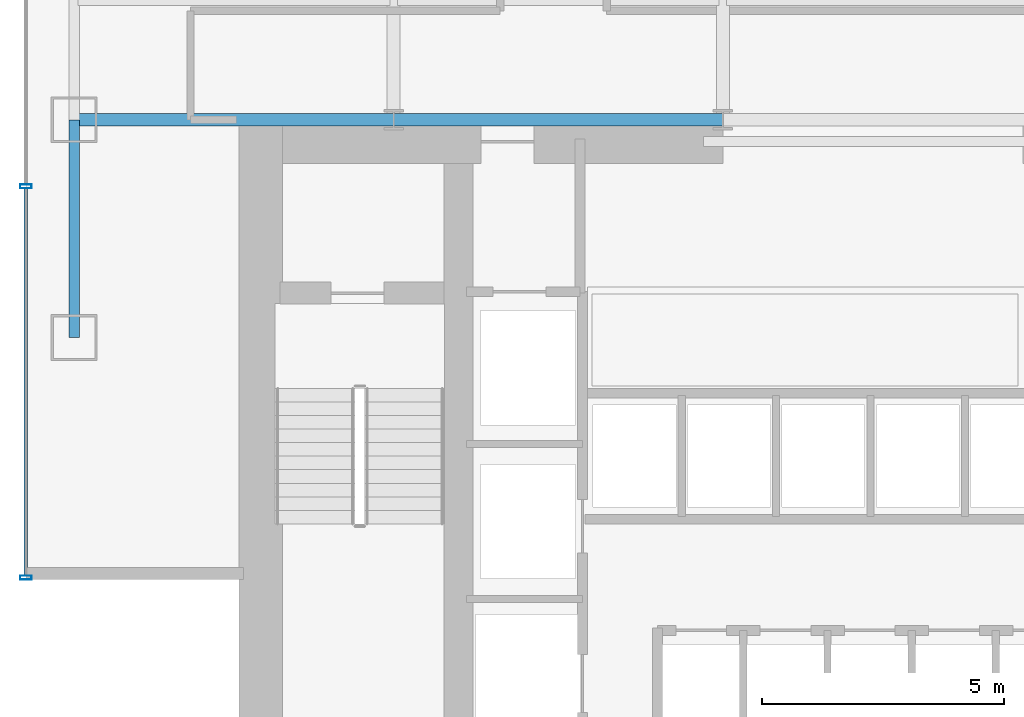
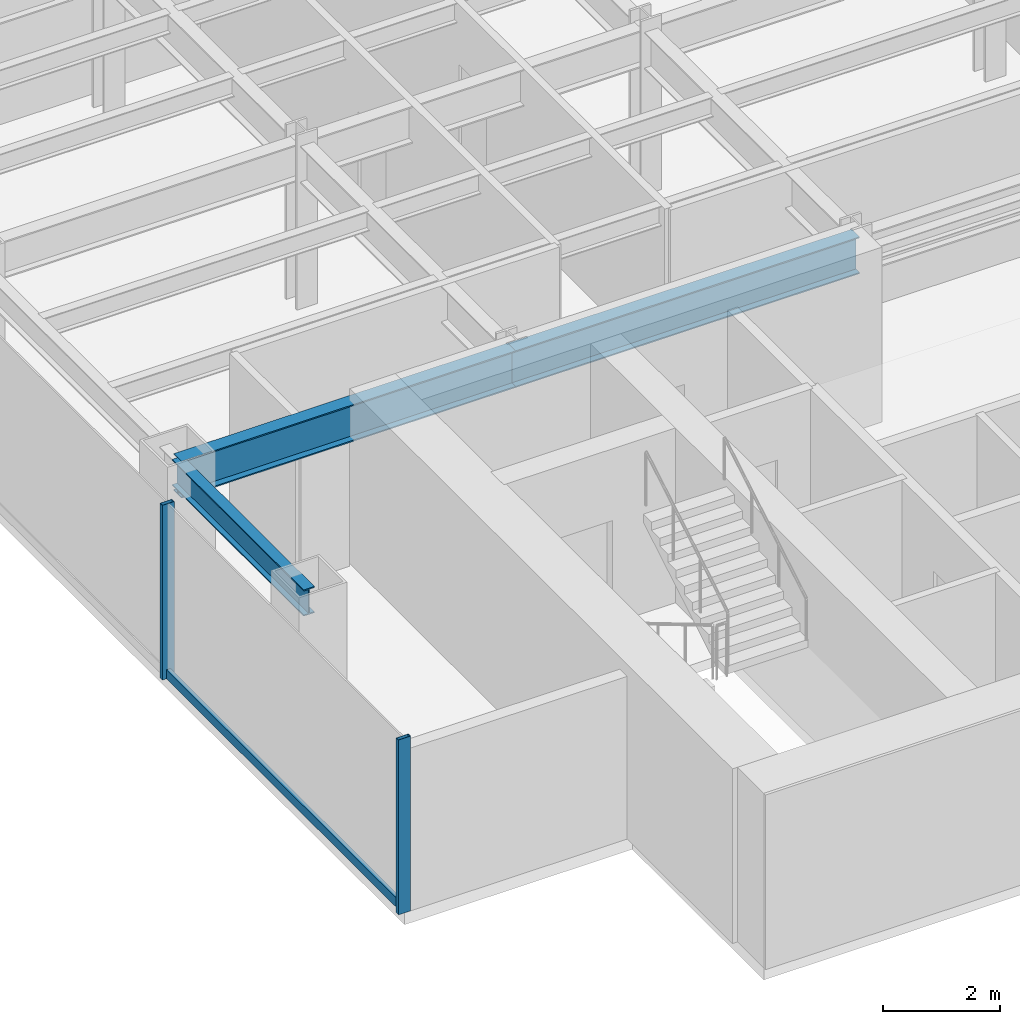
# One storey, part 2 of 23: 3 beams, 3 members, 1 element without a shape of its own.
"""IFC4 building model written with IfcOpenShell, lengths in metres."""

from ifc_helpers import new_model, si_unit, derived_unit, direction, frame, origin, origin_2d, place, context, subcontext, project, spatial, hollow_rectangle, i_section, extrude, source, transform, mapped, material, material_profile, profile_set, type_object, element, aggregate, save


model = new_model("IFC4")

# Units and contexts
model_context = context("Model", 3, precision=1e-05, world=origin(), true_north=direction((0.0, 1.0)))
body_context = subcontext(model_context, "Body", "Model", "MODEL_VIEW")
ifc_project = project(units=[si_unit("LENGTHUNIT", "METRE"), si_unit("AREAUNIT", "SQUARE_METRE"), si_unit("VOLUMEUNIT", "CUBIC_METRE"), si_unit("PLANEANGLEUNIT", "RADIAN"), si_unit("MASSUNIT", "GRAM", prefix="KILO"), derived_unit("THERMALTRANSMITTANCEUNIT", [(si_unit("POWERUNIT", "WATT"), 1), (si_unit("LENGTHUNIT", "METRE"), -2), (si_unit("THERMODYNAMICTEMPERATUREUNIT", "KELVIN"), -1)])], contexts=[model_context])

# Site, building, storey
site_placement = place(None, origin())
site = spatial("IfcSite", under=ifc_project, at=site_placement, CompositionType="ELEMENT")
building_placement = place(site_placement, origin())
building = spatial("IfcBuilding", under=site, at=building_placement, Name="Skarnbrae Concourse Arena and Tower", CompositionType="ELEMENT")
storey_placement = place(building_placement, frame((0.0, 0.0, 54.39990234375)))
storey = spatial("IfcBuildingStorey", under=building, at=storey_placement, Name="L12", CompositionType="ELEMENT", Elevation=54.39990234375)

# Beams
ifc_material_1 = material(Name="Steel CSA G40.21 350W", Category="steel")
ifc_material_profile_1 = material_profile(ifc_material_1, i_section(OverallWidth=0.26806640625, OverallDepth=0.77001953125, WebThickness=0.015625, FlangeThickness=0.025390625, at=origin_2d()), Name="W760X196")
ifc_profile_set_1 = profile_set([ifc_material_profile_1], Name="Steel CSA G40.21 350W")
beam_type_1 = type_object("IfcBeamType", Name="BM-GIRD-W760X196", PredefinedType="BEAM", material=ifc_profile_set_1)
shared_shape_1 = source(origin(), body_context, "Body", "SweptSolid", [
    extrude(i_section(OverallWidth=0.26806640625, OverallDepth=0.77001953125, WebThickness=0.015625, FlangeThickness=0.025390625, at=origin_2d()), origin(), (0.0, 0.0, 1.0), 6.60009765625),
])
beam_1_placement = place(storey_placement, frame((1.0, 14.0, 3.01513671875), z_axis=(1.0, 0.0, 0.0), x_axis=(0.0, 1.0, 0.0)))
element("IfcBeam", 1, at=beam_1_placement, inside=storey, type_object=beam_type_1, Name="L12 Primary E-W girder Y14.0-1", PredefinedType="BEAM", context=body_context, shape_type="MappedRepresentation", body=[
    mapped(shared_shape_1, transform((0.0, 0.0, 0.0))),
])
shared_shape_2 = source(origin(), body_context, "Body", "SweptSolid", [
    extrude(i_section(OverallWidth=0.26806640625, OverallDepth=0.77001953125, WebThickness=0.015625, FlangeThickness=0.025390625, at=origin_2d()), origin(), (0.0, 0.0, 1.0), 6.7998046875),
])
beam_2_placement = place(storey_placement, frame((7.60009765625, 14.0, 3.01513671875), z_axis=(1.0, 0.0, 0.0), x_axis=(0.0, 1.0, 0.0)))
element("IfcBeam", 2, at=beam_2_placement, inside=storey, type_object=beam_type_1, Name="L12 Primary E-W girder Y14.0-2", PredefinedType="BEAM", context=body_context, shape_type="MappedRepresentation", body=[
    mapped(shared_shape_2, transform((0.0, 0.0, 0.0))),
])
ifc_material_profile_2 = material_profile(ifc_material_1, i_section(OverallWidth=0.214111328125, OverallDepth=0.549072265625, WebThickness=0.0146484375, FlangeThickness=0.023681640625, at=origin_2d()), Name="W530X138")
ifc_profile_set_2 = profile_set([ifc_material_profile_2], Name="Steel CSA G40.21 350W")
beam_type_2 = type_object("IfcBeamType", Name="BM-SPAN-W530X138", PredefinedType="SPANDREL", material=ifc_profile_set_2)
shared_shape_3 = source(origin(), body_context, "Body", "SweptSolid", [
    extrude(i_section(OverallWidth=0.214111328125, OverallDepth=0.549072265625, WebThickness=0.0146484375, FlangeThickness=0.023681640625, at=origin_2d()), origin(), (0.0, 0.0, 1.0), 4.5),
])
beam_3_placement = place(storey_placement, frame((1.0, 9.5, 3.12548828125), z_axis=(0.0, 1.0, 0.0), x_axis=(-1.0, 0.0, 0.0)))
element("IfcBeam", 3, at=beam_3_placement, inside=storey, type_object=beam_type_2, Name="L12 Perimeter spandrel X1.0-1", PredefinedType="SPANDREL", context=body_context, shape_type="MappedRepresentation", body=[
    mapped(shared_shape_3, transform((0.0, 0.0, 0.0))),
])

# Curtain wall, members
ifc_material_2 = material(Name="Bronze anodised aluminium 6063-T6", Category="aluminium")
curtain_wall_type = type_object("IfcCurtainWallType", Name="CW-SYS-02-LOWZONE", PredefinedType="USERDEFINED", material=ifc_material_2)
curtain_wall_placement = place(storey_placement, origin())
curtain_wall = element("IfcCurtainWall", 4, at=curtain_wall_placement, inside=storey, type_object=curtain_wall_type, Name="L12 Unitised curtain wall CW-L12-E19", ObjectType="UNITISED CURTAIN WALL", PredefinedType="USERDEFINED")
ifc_material_profile_3 = material_profile(ifc_material_2, hollow_rectangle(XDim=0.080078125, YDim=0.18994140625, WallThickness=0.0048828125, at=origin_2d()), Name="ALU-TRAN-80X190")
ifc_profile_set_3 = profile_set([ifc_material_profile_3], Name="Bronze anodised aluminium 6063-T6")
member_type_1 = type_object("IfcMemberType", Name="CWT-CW-02", PredefinedType="USERDEFINED", material=ifc_profile_set_3)
shared_shape_4 = source(origin(), body_context, "Body", "SweptSolid", [
    extrude(hollow_rectangle(XDim=0.080078125, YDim=0.18994140625, WallThickness=0.0048828125, at=origin_2d()), origin(), (0.0, 0.0, 1.0), 8.0048828125),
])
member_1_placement = place(storey_placement, frame((0.0, 12.5849609375, 0.09521484375), z_axis=(0.0, -1.0, 0.0), x_axis=(1.0, 0.0, 0.0)))
member_1 = element("IfcMember", 5, at=member_1_placement, type_object=member_type_1, Name="CW-L12-E19 Transom 4", ObjectType="TRANSOM", PredefinedType="USERDEFINED", context=body_context, shape_type="MappedRepresentation", body=[
    mapped(shared_shape_4, transform((0.0, 0.0, 0.0))),
])
ifc_material_profile_4 = material_profile(ifc_material_2, hollow_rectangle(XDim=0.080078125, YDim=0.239990234375, WallThickness=0.0048828125, at=origin_2d()), Name="ALU-MULL-80X240")
ifc_profile_set_4 = profile_set([ifc_material_profile_4], Name="Bronze anodised aluminium 6063-T6")
member_type_2 = type_object("IfcMemberType", Name="CWM-CW-02", PredefinedType="MULLION", material=ifc_profile_set_4)
shared_shape_5 = source(origin(), body_context, "Body", "SweptSolid", [
    extrude(hollow_rectangle(XDim=0.080078125, YDim=0.239990234375, WallThickness=0.0048828125, at=origin_2d()), origin(), (0.0, 0.0, 1.0), 3.650146484375),
])
member_2_placement = place(storey_placement, frame((0.0, 12.625, 0.0), z_axis=(0.0, 0.0, 1.0), x_axis=(0.0, -1.0, 0.0)))
member_2 = element("IfcMember", 6, at=member_2_placement, type_object=member_type_2, Name="CW-L12-E19 Mullion 4", PredefinedType="MULLION", context=body_context, shape_type="MappedRepresentation", body=[
    mapped(shared_shape_5, transform((0.0, 0.0, 0.0))),
])
member_3_placement = place(storey_placement, frame((0.0, 4.5400390625, 0.0), z_axis=(0.0, 0.0, 1.0), x_axis=(0.0, -1.0, 0.0)))
member_3 = element("IfcMember", 7, at=member_3_placement, type_object=member_type_2, Name="CW-L12-E19 Mullion 5", PredefinedType="MULLION", context=body_context, shape_type="MappedRepresentation", body=[
    mapped(shared_shape_5, transform((0.0, 0.0, 0.0))),
])
aggregate(curtain_wall, [member_2, member_3, member_1])

save(model, "model.ifc")
